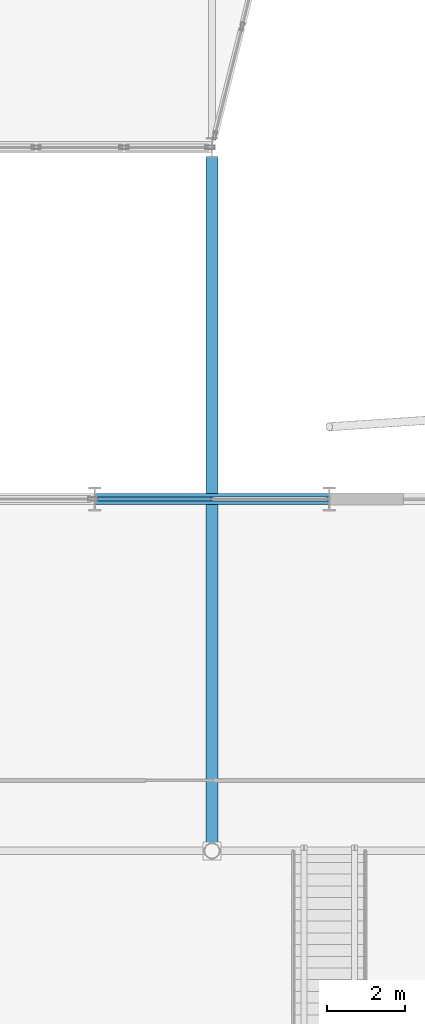
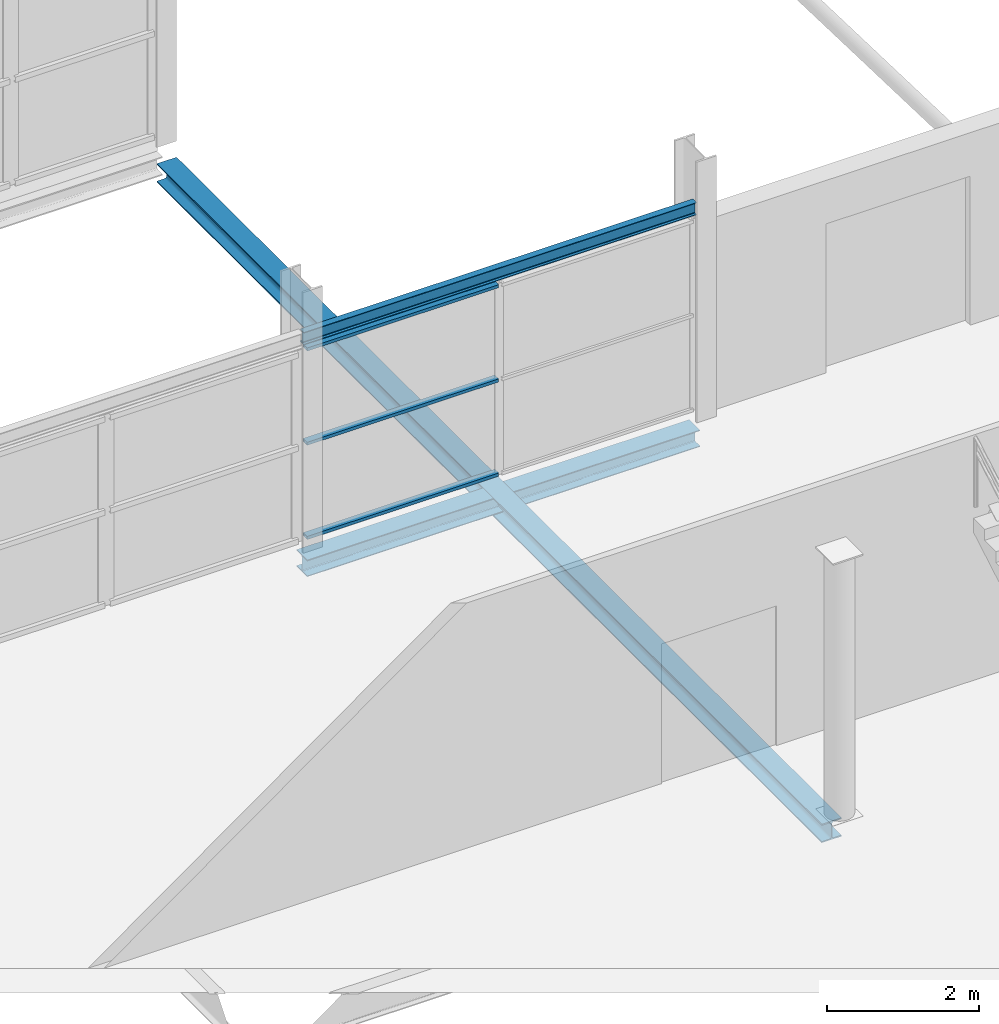
# One storey, part 47 of 140: 3 beams, 3 members, 1 element without a shape of its own.
"""IFC4 building model written with IfcOpenShell, lengths in metres."""

import ifcopenshell
import ifcopenshell.guid

model = None  # the IFC model being written
_history = None  # IfcOwnerHistory: only IFC2X3 demands one
_inside = {}  # id of a spatial element -> (the spatial element, [elements in it])
_under = {}  # id of a project, library or spatial element -> (it, [spatial elements below it])
_declared = {}  # id of a project -> (the project, [libraries it declares])
_typed = {}  # id of a type object -> (the type object, [elements of that type])
_made_of = {}  # id of a material, layer set ... -> (it, [elements and type objects made of it])


def new_model(schema):
    """Start an empty IFC model of exactly this schema.

    Asked for "IFC4X3", IfcOpenShell would pick the latest addendum, in which some entities
    have other attributes; the version numbers below select the first issue.
    IFC2X3 requires an IfcOwnerHistory on every rooted entity: one is made here for all.
    """
    global model, _history
    if schema == "IFC4X3":
        model = ifcopenshell.file(schema_version=(4, 3, 0, 0))
    else:
        model = ifcopenshell.file(schema=schema)
    _inside.clear()
    _under.clear()
    _declared.clear()
    _typed.clear()
    _made_of.clear()
    _history = None
    if model.schema == "IFC2X3":
        org = make("IfcOrganization", Name="unknown")
        user = make(
            "IfcPersonAndOrganization",
            ThePerson=make("IfcPerson", FamilyName="unknown"),
            TheOrganization=org,
        )
        app = make(
            "IfcApplication",
            ApplicationDeveloper=org,
            Version="unknown",
            ApplicationFullName="unknown",
            ApplicationIdentifier="unknown",
        )
        _history = make(
            "IfcOwnerHistory",
            OwningUser=user,
            OwningApplication=app,
            ChangeAction="ADDED",
            CreationDate=0,
        )
    return model


def make(cls, **values):
    """One entity of the class cls with the attributes given. An attribute that is None is left unset."""
    return model.create_entity(
        cls, **{name: value for name, value in values.items() if value is not None}
    )


def rooted(cls, **values):
    """An entity with a GlobalId (a new one), such as an element, a storey or a relation."""
    return make(cls, GlobalId=ifcopenshell.guid.new(), OwnerHistory=_history, **values)


def si_unit(unit_type, name, prefix=None):
    """IfcSIUnit, for example si_unit("LENGTHUNIT", "METRE", prefix="MILLI")."""
    return make("IfcSIUnit", UnitType=unit_type, Prefix=prefix, Name=name)


def assignment(units):
    """IfcUnitAssignment: the units of a project."""
    return None if units is None else make("IfcUnitAssignment", Units=units)


def point(xyz):
    """IfcCartesianPoint."""
    return None if xyz is None else make("IfcCartesianPoint", Coordinates=xyz)


def direction(xyz):
    """IfcDirection."""
    return None if xyz is None else make("IfcDirection", DirectionRatios=xyz)


def frame(location, z_axis=None, x_axis=None):
    """IfcAxis2Placement3D, a coordinate frame: its origin and axes. An axis left out is left unset."""
    return make(
        "IfcAxis2Placement3D",
        Location=point(location),
        Axis=direction(z_axis),
        RefDirection=direction(x_axis),
    )


def frame_2d(location, x_axis=None):
    """IfcAxis2Placement2D, a coordinate frame in the plane: its origin and x axis."""
    return make(
        "IfcAxis2Placement2D", Location=point(location), RefDirection=direction(x_axis)
    )


def origin():
    """The frame at (0, 0, 0) with its axes left unset."""
    return frame((0.0, 0.0, 0.0))


def origin_2d():
    """The frame at (0, 0) in the plane with its x axis left unset."""
    return frame_2d((0.0, 0.0))


def place(relative_to, where):
    """IfcLocalPlacement: puts the frame where relative to a parent placement (None: the world)."""
    return make(
        "IfcLocalPlacement", PlacementRelTo=relative_to, RelativePlacement=where
    )


def context(
    kind, dimensions, precision=None, world=None, true_north=None, identifier=None
):
    """IfcGeometricRepresentationContext, for example the 3D "Model" context."""
    return make(
        "IfcGeometricRepresentationContext",
        ContextIdentifier=identifier,
        ContextType=kind,
        CoordinateSpaceDimension=dimensions,
        Precision=precision,
        WorldCoordinateSystem=world,
        TrueNorth=true_north,
    )


def subcontext(parent, identifier, kind, view, scale=None):
    """IfcGeometricRepresentationSubContext, for example "Body" below "Model"."""
    return make(
        "IfcGeometricRepresentationSubContext",
        ContextIdentifier=identifier,
        ContextType=kind,
        ParentContext=parent,
        TargetScale=scale,
        TargetView=view,
    )


def project(units=None, contexts=None):
    """IfcProject with its units and contexts."""
    return rooted(
        "IfcProject",
        Name="project",
        RepresentationContexts=contexts,
        UnitsInContext=assignment(units),
    )


def spatial(cls, under=None, at=None, **own):
    """A site, building, storey or space (cls), placed at a placement, below another one or the project."""
    s = rooted(cls, ObjectPlacement=at, **own)
    if under is not None:
        _under.setdefault(under.id(), (under, []))[1].append(s)
    return s


def profile(cls, at=None, kind="AREA", **sizes):
    """A parametric profile (cls). Its sizes go by their IFC names, for example OverallWidth=200.0."""
    return make(cls, ProfileType=kind, Position=at, **sizes)


def hollow_rectangle(**sizes):
    """IfcRectangleHollowProfileDef."""
    return profile("IfcRectangleHollowProfileDef", **sizes)


def i_section(**sizes):
    """IfcIShapeProfileDef."""
    return profile("IfcIShapeProfileDef", **sizes)


def extrude(swept, where, along, depth):
    """IfcExtrudedAreaSolid: the profile swept, set in the frame where, extruded along a direction by depth."""
    return make(
        "IfcExtrudedAreaSolid",
        SweptArea=swept,
        Position=where,
        ExtrudedDirection=direction(along),
        Depth=depth,
    )


def shape(context_of_items, identifier, shape_type, items):
    """IfcShapeRepresentation: the items that make up one representation, for example the "Body"."""
    return make(
        "IfcShapeRepresentation",
        ContextOfItems=context_of_items,
        RepresentationIdentifier=identifier,
        RepresentationType=shape_type,
        Items=items,
    )


def material(Name=None, Category=None):
    """IfcMaterial."""
    return make("IfcMaterial", Name=Name, Category=Category)


def layer(
    of_material, thickness, ventilated=None, Name=None, Category=None, Priority=None
):
    """IfcMaterialLayer: one layer of a wall or slab, of a material (None: an air gap)."""
    return make(
        "IfcMaterialLayer",
        Material=of_material,
        LayerThickness=thickness,
        IsVentilated=ventilated,
        Name=Name,
        Category=Category,
        Priority=Priority,
    )


def layer_set(layers, Name=None):
    """IfcMaterialLayerSet."""
    return make("IfcMaterialLayerSet", MaterialLayers=layers, LayerSetName=Name)


def material_profile(
    of_material, cross_section, Name=None, Category=None, Priority=None
):
    """IfcMaterialProfile: a cross section and its material."""
    return make(
        "IfcMaterialProfile",
        Name=Name,
        Material=of_material,
        Profile=cross_section,
        Priority=Priority,
        Category=Category,
    )


def profile_set(profiles, Name=None, composite=None):
    """IfcMaterialProfileSet."""
    return make(
        "IfcMaterialProfileSet",
        Name=Name,
        MaterialProfiles=profiles,
        CompositeProfile=composite,
    )


def made_of(thing, what):
    """Note that an element or type object is made of a material, layer set ...; save() writes the relation."""
    if what is not None:
        _made_of.setdefault(what.id(), (what, []))[1].append(thing)
    return thing


def type_object(cls, material=None, **own):
    """A type object (cls), such as IfcWallType, which elements share."""
    return made_of(rooted(cls, **own), material)


def element(
    cls,
    number,
    at=None,
    inside=None,
    cuts=None,
    type_object=None,
    material=None,
    context=None,
    identifier="Body",
    shape_type=None,
    held_by="IfcProductDefinitionShape",
    body=None,
    shapes=None,
    **own,
):
    """One element of the class cls, such as IfcWall. Its Tag is "e" and its number.

    at: its placement. inside: the storey or other place that contains it. cuts: it is an
    opening in that element (IfcRelVoidsElement). A single representation is given by context,
    identifier, shape_type and body (its items); several are given by shapes. held_by: the class
    of the entity that holds the representations. save() writes the other relations.
    """
    e = rooted(cls, Tag="e%d" % number, ObjectPlacement=at, **own)
    if body is not None:
        shapes = [shape(context, identifier, shape_type, body)]
    if shapes is not None:
        e.Representation = make(held_by, Representations=shapes)
    if inside is not None:
        _inside.setdefault(inside.id(), (inside, []))[1].append(e)
    if cuts is not None:
        rooted(
            "IfcRelVoidsElement", RelatingBuildingElement=cuts, RelatedOpeningElement=e
        )
    if type_object is not None:
        _typed.setdefault(type_object.id(), (type_object, []))[1].append(e)
    return made_of(e, material)


def aggregate(whole, parts):
    """IfcRelAggregates: a whole, such as a stair, and the parts it consists of."""
    return rooted("IfcRelAggregates", RelatingObject=whole, RelatedObjects=parts)


def save(model, path):
    """Write the relations noted so far, then the file.

    IfcRelAggregates (storeys below a building ...), IfcRelContainedInSpatialStructure (elements
    in a storey), IfcRelDefinesByType, IfcRelAssociatesMaterial and IfcRelDeclares: one each for
    every whole, place, type object, material and project.
    """
    for whole, parts in _under.values():
        aggregate(whole, parts)
    for where, things in _inside.values():
        rooted(
            "IfcRelContainedInSpatialStructure",
            RelatedElements=things,
            RelatingStructure=where,
        )
    for kind, things in _typed.values():
        rooted("IfcRelDefinesByType", RelatedObjects=things, RelatingType=kind)
    for what, things in _made_of.values():
        rooted("IfcRelAssociatesMaterial", RelatedObjects=things, RelatingMaterial=what)
    for by, libraries in _declared.values():
        rooted("IfcRelDeclares", RelatingContext=by, RelatedDefinitions=libraries)
    model.write(path)


model = new_model("IFC4")

# Units and contexts
model_context = context("Model", 3, precision=1e-05, world=origin(), true_north=direction((0.0, 1.0)))
body_context = subcontext(model_context, "Body", "Model", "MODEL_VIEW")
ifc_project = project(units=[si_unit("LENGTHUNIT", "METRE"), si_unit("AREAUNIT", "SQUARE_METRE"), si_unit("VOLUMEUNIT", "CUBIC_METRE"), si_unit("PLANEANGLEUNIT", "RADIAN"), si_unit("MASSUNIT", "GRAM", prefix="KILO")], contexts=[model_context])

# Site, building, storey
site_placement = place(None, origin())
site = spatial("IfcSite", under=ifc_project, at=site_placement, CompositionType="ELEMENT")
building_placement = place(site_placement, origin())
building = spatial("IfcBuilding", under=site, at=building_placement, Name="Deido Ridge Mobility Hub", CompositionType="ELEMENT")
storey_placement = place(building_placement, origin())
storey = spatial("IfcBuildingStorey", under=building, at=storey_placement, Name="L00", CompositionType="ELEMENT", Elevation=0.0)

# Beam
ifc_material_1 = material(Name="Steel S355J2 EN 10025-2", Category="steel")
ifc_material_profile_1 = material_profile(ifc_material_1, i_section(OverallWidth=0.10009765625, OverallDepth=0.199951171875, WebThickness=0.005615234375, FlangeThickness=0.008544921875, FilletRadius=0.011962890625, at=origin_2d()), Name="IPE 200")
ifc_profile_set_1 = profile_set([ifc_material_profile_1], Name="Steel S355J2 EN 10025-2")
beam_type_1 = type_object("IfcBeamType", Name="LNT-IPE200", PredefinedType="LINTEL", material=ifc_profile_set_1)
beam_1_placement = place(storey_placement, frame((42.0078125, 36.0, 3.25), z_axis=(1.0, 0.0, 0.0), x_axis=(0.0, 1.0, 0.0)))
element("IfcBeam", 1, at=beam_1_placement, inside=storey, type_object=beam_type_1, Name="Opening lintel LN2", PredefinedType="LINTEL", context=body_context, shape_type="SweptSolid", body=[
    extrude(i_section(OverallWidth=0.10009765625, OverallDepth=0.199951171875, WebThickness=0.005615234375, FlangeThickness=0.008544921875, FilletRadius=0.011962890625, at=origin_2d()), origin(), (0.0, 0.0, 1.0), 5.984375),
])

# Curtain wall, members
ifc_material_2 = material(Name="Anodised aluminium EN AW-6063 T6", Category="aluminium")
ifc_layer = layer(ifc_material_2, 0.16796875, Name="Anodised aluminium EN AW-6063 T6")
ifc_layer_set = layer_set([ifc_layer], Name="Anodised aluminium EN AW-6063 T6")
curtain_wall_type = type_object("IfcCurtainWallType", Name="CW-GS-4", PredefinedType="USERDEFINED", material=ifc_layer_set)
curtain_wall_placement = place(storey_placement, origin())
curtain_wall = element("IfcCurtainWall", 2, at=curtain_wall_placement, inside=storey, type_object=curtain_wall_type, Name="Unitised curtain wall GS4", ObjectType="GLAZED SCREEN", PredefinedType="USERDEFINED")
ifc_material_profile_2 = material_profile(ifc_material_2, hollow_rectangle(XDim=0.10498046875, YDim=0.050048828125, WallThickness=0.00390625, at=origin_2d()), Name="RHS 105x50x4")
ifc_profile_set_2 = profile_set([ifc_material_profile_2], Name="Anodised aluminium EN AW-6063 T6")
member_type = type_object("IfcMemberType", Name="MEM-TRN-105X50", PredefinedType="USERDEFINED", material=ifc_profile_set_2)
member_1_placement = place(storey_placement, frame((42.057861328125, 36.0, 0.02490234375), z_axis=(1.0, 0.0, 0.0), x_axis=(0.0, 1.0, 0.0)))
member_1 = element("IfcMember", 3, at=member_1_placement, type_object=member_type, Name="GS4 transom 1.1", ObjectType="TRANSOM", PredefinedType="USERDEFINED", context=body_context, shape_type="SweptSolid", body=[
    extrude(hollow_rectangle(XDim=0.10498046875, YDim=0.050048828125, WallThickness=0.00390625, at=origin_2d()), origin(), (0.0, 0.0, 1.0), 2.917236328125),
])
member_2_placement = place(storey_placement, frame((42.057861328125, 36.0, 1.54248046875), z_axis=(1.0, 0.0, 0.0), x_axis=(0.0, 1.0, 0.0)))
member_2 = element("IfcMember", 4, at=member_2_placement, type_object=member_type, Name="GS4 transom 1.2", ObjectType="TRANSOM", PredefinedType="USERDEFINED", context=body_context, shape_type="SweptSolid", body=[
    extrude(hollow_rectangle(XDim=0.10498046875, YDim=0.050048828125, WallThickness=0.00390625, at=origin_2d()), origin(), (0.0, 0.0, 1.0), 2.917236328125),
])
member_3_placement = place(storey_placement, frame((42.057861328125, 36.0, 3.06005859375), z_axis=(1.0, 0.0, 0.0), x_axis=(0.0, 1.0, 0.0)))
member_3 = element("IfcMember", 5, at=member_3_placement, type_object=member_type, Name="GS4 transom 1.3", ObjectType="TRANSOM", PredefinedType="USERDEFINED", context=body_context, shape_type="SweptSolid", body=[
    extrude(hollow_rectangle(XDim=0.10498046875, YDim=0.050048828125, WallThickness=0.00390625, at=origin_2d()), origin(), (0.0, 0.0, 1.0), 2.917236328125),
])
aggregate(curtain_wall, [member_1, member_2, member_3])

# Beams
ifc_material_profile_3 = material_profile(ifc_material_1, i_section(OverallWidth=0.280029296875, OverallDepth=0.27001953125, WebThickness=0.008056640625, FlangeThickness=0.012939453125, FilletRadius=0.02392578125, at=origin_2d()), Name="HEA 280")
ifc_profile_set_3 = profile_set([ifc_material_profile_3], Name="Steel S355J2 EN 10025-2")
beam_type_2 = type_object("IfcBeamType", Name="SPD-HEA280", PredefinedType="SPANDREL", material=ifc_profile_set_3)
beam_2_placement = place(storey_placement, frame((42.0078125, 36.0, -0.39501953125), z_axis=(1.0, 0.0, 0.0), x_axis=(0.0, 1.0, 0.0)))
element("IfcBeam", 6, at=beam_2_placement, inside=storey, type_object=beam_type_2, Name="Floor beam SP2", PredefinedType="SPANDREL", context=body_context, shape_type="SweptSolid", body=[
    extrude(i_section(OverallWidth=0.280029296875, OverallDepth=0.27001953125, WebThickness=0.008056640625, FlangeThickness=0.012939453125, FilletRadius=0.02392578125, at=origin_2d()), origin(), (0.0, 0.0, 1.0), 5.984375),
])
ifc_material_profile_4 = material_profile(ifc_material_1, i_section(OverallWidth=0.300048828125, OverallDepth=0.300048828125, WebThickness=0.010986328125, FlangeThickness=0.01904296875, FilletRadius=0.027099609375, at=origin_2d()), Name="HEB 300")
ifc_profile_set_4 = profile_set([ifc_material_profile_4], Name="Steel S355J2 EN 10025-2")
beam_type_3 = type_object("IfcBeamType", Name="SPD-HEB300", PredefinedType="SPANDREL", material=ifc_profile_set_4)
beam_3_placement = place(storey_placement, frame((45.0, 27.203125, -0.409912109375), z_axis=(0.0, 1.0, 0.0), x_axis=(-1.0, 0.0, 0.0)))
element("IfcBeam", 7, at=beam_3_placement, inside=storey, type_object=beam_type_3, Name="Floor beam SP1", PredefinedType="SPANDREL", context=body_context, shape_type="SweptSolid", body=[
    extrude(i_section(OverallWidth=0.300048828125, OverallDepth=0.300048828125, WebThickness=0.010986328125, FlangeThickness=0.01904296875, FilletRadius=0.027099609375, at=origin_2d()), origin(), (0.0, 0.0, 1.0), 17.546875),
])

save(model, "model.ifc")
